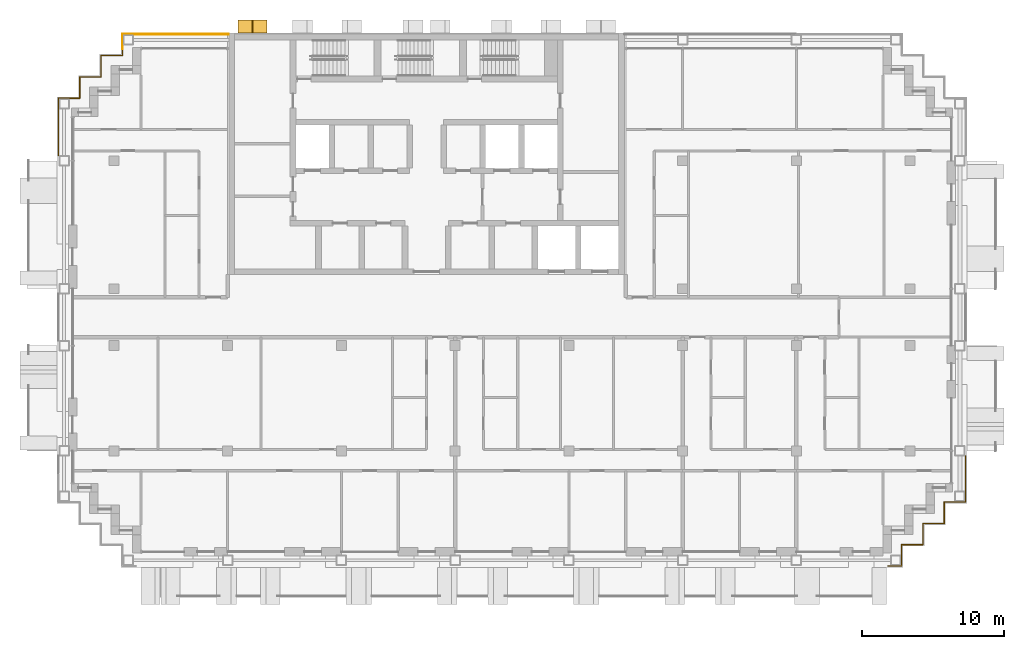
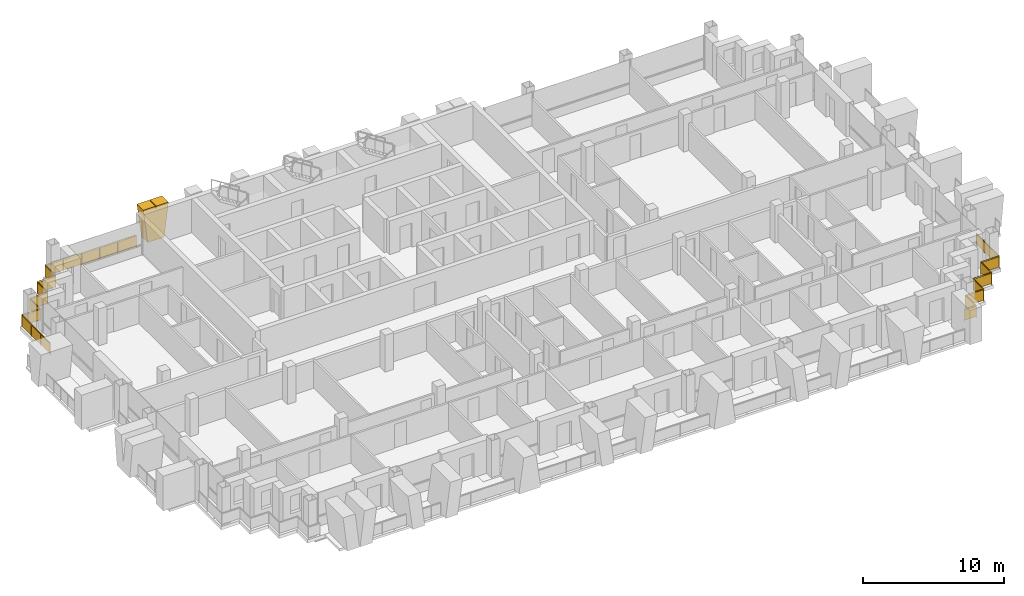
# One storey, part 14 of 16: 4 railings, 1 shading device.
"""IFC4 building model written with IfcOpenShell, lengths in metres."""

from ifc_helpers import new_model, si_unit, direction, frame, origin, origin_2d, place, context, subcontext, project, spatial, polyline, rectangle, circle, outline, extrude, material, layer, layer_set, type_object, element, save


model = new_model("IFC4")

# Units and contexts
model_context = context("Model", 3, precision=1e-05, world=origin(), true_north=direction((0.0, 1.0)))
body_context = subcontext(model_context, "Body", "Model", "MODEL_VIEW")
ifc_project = project(units=[si_unit("LENGTHUNIT", "METRE"), si_unit("AREAUNIT", "SQUARE_METRE"), si_unit("VOLUMEUNIT", "CUBIC_METRE"), si_unit("PLANEANGLEUNIT", "RADIAN"), si_unit("MASSUNIT", "GRAM", prefix="KILO")], contexts=[model_context])

# Site, building, storey
site_placement = place(None, origin())
site = spatial("IfcSite", under=ifc_project, at=site_placement, CompositionType="ELEMENT")
building_placement = place(site_placement, origin())
building = spatial("IfcBuilding", under=site, at=building_placement, Name="Vidyagriha Tower", CompositionType="ELEMENT")
storey_placement = place(building_placement, frame((0.0, 0.0, 178.10009765625)))
storey = spatial("IfcBuildingStorey", under=building, at=storey_placement, Name="L46", CompositionType="ELEMENT", Elevation=178.10009765625)

# Shading device
ifc_material_1 = material(Name="Precast concrete C40/50 with brick facing", Category="concrete")
ifc_layer = layer(ifc_material_1, 1.0)
ifc_layer_set = layer_set([ifc_layer], Name="Precast concrete C40/50 with brick facing")
shading_device_type = type_object("IfcShadingDeviceType", Name="Brick-faced rear rib forking 8 degrees", PredefinedType="USERDEFINED", material=ifc_layer_set)
shading_device_placement = place(storey_placement, frame((-11.21435546875, 20.449951171875, 0.0), z_axis=(0.0, 0.0, 1.0), x_axis=(-1.0, 0.0, 0.0)))
element("IfcShadingDevice", 1, at=shading_device_placement, inside=storey, type_object=shading_device_type, Name="Rear rib fork L46 R08.5a", ObjectType="BLADE FIN", PredefinedType="USERDEFINED", context=body_context, shape_type="SweptSolid", body=[
    extrude(outline(polyline([(0.357177734375, 0.0), (1.71435546875, 0.0), (2.0712890625, 2.919921875), (1.0712890625, 2.919921875), (1.03564453125, 2.6279296875), (1.0, 2.919921875), (0.0, 2.919921875), (0.357177734375, 0.0)])), frame((0.0, 0.449951171875, 0.0), z_axis=(0.0, -1.0, 0.0), x_axis=(1.0, 0.0, 0.0)), (0.0, 0.0, 1.0), 0.89990234375),
])

# Railings
ifc_material_2 = material(Name="Steel ASTM A500 Grade C black painted", Category="steel")
railing_type = type_object("IfcRailingType", Name="Gallery guard 1100", PredefinedType="GUARDRAIL", material=ifc_material_2)
railing_1_placement = place(storey_placement, frame((-25.89990234375, 11.360107421875, 0.0)))
element("IfcRailing", 2, at=railing_1_placement, inside=storey, type_object=railing_type, Name="Gallery guard L46 4", PredefinedType="GUARDRAIL", context=body_context, shape_type="SweptSolid", body=[
    extrude(circle(Radius=0.02490234375, at=origin_2d()), frame((0.0, 0.0, 1.0751953125), z_axis=(0.0, 1.0, 0.0), x_axis=(-1.0, 0.0, 0.0)), (0.0, 0.0, 1.0), 4.039794921875),
    extrude(circle(Radius=0.02490234375, at=origin_2d()), frame((0.0, 4.039794921875, 1.0751953125), z_axis=(1.0, 0.0, 0.0), x_axis=(0.0, 1.0, 0.0)), (0.0, 0.0, 1.0), 1.5),
    extrude(circle(Radius=0.02490234375, at=origin_2d()), frame((1.5, 4.039794921875, 1.0751953125), z_axis=(0.0, 1.0, 0.0), x_axis=(-1.0, 0.0, 0.0)), (0.0, 0.0, 1.0), 1.5),
    extrude(circle(Radius=0.02490234375, at=origin_2d()), frame((1.5, 5.539794921875, 1.0751953125), z_axis=(1.0, 0.0, 0.0), x_axis=(0.0, 1.0, 0.0)), (0.0, 0.0, 1.0), 1.5),
    extrude(circle(Radius=0.02490234375, at=origin_2d()), frame((3.0, 5.539794921875, 1.0751953125), z_axis=(0.0, 1.0, 0.0), x_axis=(-1.0, 0.0, 0.0)), (0.0, 0.0, 1.0), 1.5),
    extrude(circle(Radius=0.02490234375, at=origin_2d()), frame((3.0, 7.039794921875, 1.0751953125), z_axis=(1.0, 0.0, 0.0), x_axis=(0.0, 1.0, 0.0)), (0.0, 0.0, 1.0), 1.5),
    extrude(circle(Radius=0.02490234375, at=origin_2d()), frame((4.5, 7.039794921875, 1.0751953125), z_axis=(0.0, 1.0, 0.0), x_axis=(-1.0, 0.0, 0.0)), (0.0, 0.0, 1.0), 0.460205078125),
    extrude(circle(Radius=0.02001953125, at=origin_2d()), origin(), (0.0, 0.0, 1.0), 1.050048828125),
    extrude(circle(Radius=0.02001953125, at=origin_2d()), frame((0.0, 1.3466796875, 0.0)), (0.0, 0.0, 1.0), 1.050048828125),
    extrude(circle(Radius=0.02001953125, at=origin_2d()), frame((0.0, 2.693115234375, 0.0)), (0.0, 0.0, 1.0), 1.050048828125),
    extrude(circle(Radius=0.02001953125, at=origin_2d()), frame((0.0, 4.039794921875, 0.0)), (0.0, 0.0, 1.0), 1.050048828125),
    extrude(circle(Radius=0.02001953125, at=origin_2d()), frame((1.5, 4.039794921875, 0.0)), (0.0, 0.0, 1.0), 1.050048828125),
    extrude(circle(Radius=0.02001953125, at=origin_2d()), frame((1.5, 5.539794921875, 0.0)), (0.0, 0.0, 1.0), 1.050048828125),
    extrude(circle(Radius=0.02001953125, at=origin_2d()), frame((3.0, 5.539794921875, 0.0)), (0.0, 0.0, 1.0), 1.050048828125),
    extrude(circle(Radius=0.02001953125, at=origin_2d()), frame((3.0, 7.039794921875, 0.0)), (0.0, 0.0, 1.0), 1.050048828125),
    extrude(circle(Radius=0.02001953125, at=origin_2d()), frame((4.5, 7.039794921875, 0.0)), (0.0, 0.0, 1.0), 1.050048828125),
    extrude(circle(Radius=0.02001953125, at=origin_2d()), frame((4.5, 7.5, 0.0)), (0.0, 0.0, 1.0), 1.050048828125),
    extrude(rectangle(XDim=0.010009765625, YDim=0.900146484375, at=origin_2d()), frame((0.0, 0.0, 0.550048828125), z_axis=(0.0, 1.0, 0.0), x_axis=(-1.0, 0.0, 0.0)), (0.0, 0.0, 1.0), 4.039794921875),
    extrude(rectangle(XDim=0.010009765625, YDim=0.900146484375, at=origin_2d()), frame((0.0, 4.039794921875, 0.550048828125), z_axis=(1.0, 0.0, 0.0), x_axis=(0.0, 1.0, 0.0)), (0.0, 0.0, 1.0), 1.5),
    extrude(rectangle(XDim=0.010009765625, YDim=0.900146484375, at=origin_2d()), frame((1.5, 4.039794921875, 0.550048828125), z_axis=(0.0, 1.0, 0.0), x_axis=(-1.0, 0.0, 0.0)), (0.0, 0.0, 1.0), 1.5),
    extrude(rectangle(XDim=0.010009765625, YDim=0.900146484375, at=origin_2d()), frame((1.5, 5.539794921875, 0.550048828125), z_axis=(1.0, 0.0, 0.0), x_axis=(0.0, 1.0, 0.0)), (0.0, 0.0, 1.0), 1.5),
    extrude(rectangle(XDim=0.010009765625, YDim=0.900146484375, at=origin_2d()), frame((3.0, 5.539794921875, 0.550048828125), z_axis=(0.0, 1.0, 0.0), x_axis=(-1.0, 0.0, 0.0)), (0.0, 0.0, 1.0), 1.5),
    extrude(rectangle(XDim=0.010009765625, YDim=0.900146484375, at=origin_2d()), frame((3.0, 7.039794921875, 0.550048828125), z_axis=(1.0, 0.0, 0.0), x_axis=(0.0, 1.0, 0.0)), (0.0, 0.0, 1.0), 1.5),
    extrude(rectangle(XDim=0.010009765625, YDim=0.900146484375, at=origin_2d()), frame((4.5, 7.039794921875, 0.550048828125), z_axis=(0.0, 1.0, 0.0), x_axis=(-1.0, 0.0, 0.0)), (0.0, 0.0, 1.0), 0.460205078125),
])
railing_2_placement = place(storey_placement, frame((-21.39990234375, 18.860107421875, 0.0)))
element("IfcRailing", 3, at=railing_2_placement, inside=storey, type_object=railing_type, Name="Gallery guard L46 5", PredefinedType="GUARDRAIL", context=body_context, shape_type="SweptSolid", body=[
    extrude(circle(Radius=0.02490234375, at=origin_2d()), frame((0.0, 0.0, 1.0751953125), z_axis=(0.0, 1.0, 0.0), x_axis=(-1.0, 0.0, 0.0)), (0.0, 0.0, 1.0), 1.039794921875),
    extrude(circle(Radius=0.02490234375, at=origin_2d()), frame((0.0, 1.039794921875, 1.0751953125), z_axis=(1.0, 0.0, 0.0), x_axis=(0.0, 1.0, 0.0)), (0.0, 0.0, 1.0), 7.469970703125),
    extrude(circle(Radius=0.02001953125, at=origin_2d()), origin(), (0.0, 0.0, 1.0), 1.050048828125),
    extrude(circle(Radius=0.02001953125, at=origin_2d()), frame((0.0, 1.039794921875, 0.0)), (0.0, 0.0, 1.0), 1.050048828125),
    extrude(circle(Radius=0.02001953125, at=origin_2d()), frame((1.493896484375, 1.039794921875, 0.0)), (0.0, 0.0, 1.0), 1.050048828125),
    extrude(circle(Radius=0.02001953125, at=origin_2d()), frame((2.988037109375, 1.039794921875, 0.0)), (0.0, 0.0, 1.0), 1.050048828125),
    extrude(circle(Radius=0.02001953125, at=origin_2d()), frame((4.48193359375, 1.039794921875, 0.0)), (0.0, 0.0, 1.0), 1.050048828125),
    extrude(circle(Radius=0.02001953125, at=origin_2d()), frame((5.97607421875, 1.039794921875, 0.0)), (0.0, 0.0, 1.0), 1.050048828125),
    extrude(circle(Radius=0.02001953125, at=origin_2d()), frame((7.469970703125, 1.039794921875, 0.0)), (0.0, 0.0, 1.0), 1.050048828125),
    extrude(rectangle(XDim=0.010009765625, YDim=0.900146484375, at=origin_2d()), frame((0.0, 0.0, 0.550048828125), z_axis=(0.0, 1.0, 0.0), x_axis=(-1.0, 0.0, 0.0)), (0.0, 0.0, 1.0), 1.039794921875),
    extrude(rectangle(XDim=0.010009765625, YDim=0.900146484375, at=origin_2d()), frame((0.0, 1.039794921875, 0.550048828125), z_axis=(1.0, 0.0, 0.0), x_axis=(0.0, 1.0, 0.0)), (0.0, 0.0, 1.0), 7.469970703125),
])
railing_3_placement = place(storey_placement, frame((37.89990234375, -9.760009765625, 0.0)))
element("IfcRailing", 4, at=railing_3_placement, inside=storey, type_object=railing_type, Name="Gallery guard L46 9", PredefinedType="GUARDRAIL", context=body_context, shape_type="SweptSolid", body=[
    extrude(circle(Radius=0.02490234375, at=origin_2d()), frame((0.0, 0.0, 1.0751953125), z_axis=(0.0, -1.0, 0.0), x_axis=(1.0, 0.0, 0.0)), (0.0, 0.0, 1.0), 3.239990234375),
    extrude(circle(Radius=0.02490234375, at=origin_2d()), frame((0.0, -3.239990234375, 1.0751953125), z_axis=(-1.0, 0.0, 0.0), x_axis=(0.0, -1.0, 0.0)), (0.0, 0.0, 1.0), 1.5),
    extrude(circle(Radius=0.02490234375, at=origin_2d()), frame((-1.5, -3.239990234375, 1.0751953125), z_axis=(0.0, -1.0, 0.0), x_axis=(1.0, 0.0, 0.0)), (0.0, 0.0, 1.0), 1.5),
    extrude(circle(Radius=0.02490234375, at=origin_2d()), frame((-1.5, -4.739990234375, 1.0751953125), z_axis=(-1.0, 0.0, 0.0), x_axis=(0.0, -1.0, 0.0)), (0.0, 0.0, 1.0), 1.5),
    extrude(circle(Radius=0.02490234375, at=origin_2d()), frame((-3.0, -4.739990234375, 1.0751953125), z_axis=(0.0, -1.0, 0.0), x_axis=(1.0, 0.0, 0.0)), (0.0, 0.0, 1.0), 1.5),
    extrude(circle(Radius=0.02490234375, at=origin_2d()), frame((-3.0, -6.239990234375, 1.0751953125), z_axis=(-1.0, 0.0, 0.0), x_axis=(0.0, -1.0, 0.0)), (0.0, 0.0, 1.0), 1.5),
    extrude(circle(Radius=0.02490234375, at=origin_2d()), frame((-4.5, -6.239990234375, 1.0751953125), z_axis=(0.0, -1.0, 0.0), x_axis=(1.0, 0.0, 0.0)), (0.0, 0.0, 1.0), 1.260009765625),
    extrude(circle(Radius=0.02001953125, at=origin_2d()), origin(), (0.0, 0.0, 1.0), 1.050048828125),
    extrude(circle(Radius=0.02001953125, at=origin_2d()), frame((0.0, -1.080078125, 0.0)), (0.0, 0.0, 1.0), 1.050048828125),
    extrude(circle(Radius=0.02001953125, at=origin_2d()), frame((0.0, -2.159912109375, 0.0)), (0.0, 0.0, 1.0), 1.050048828125),
    extrude(circle(Radius=0.02001953125, at=origin_2d()), frame((0.0, -3.239990234375, 0.0)), (0.0, 0.0, 1.0), 1.050048828125),
    extrude(circle(Radius=0.02001953125, at=origin_2d()), frame((-1.5, -3.239990234375, 0.0)), (0.0, 0.0, 1.0), 1.050048828125),
    extrude(circle(Radius=0.02001953125, at=origin_2d()), frame((-1.5, -4.739990234375, 0.0)), (0.0, 0.0, 1.0), 1.050048828125),
    extrude(circle(Radius=0.02001953125, at=origin_2d()), frame((-3.0, -4.739990234375, 0.0)), (0.0, 0.0, 1.0), 1.050048828125),
    extrude(circle(Radius=0.02001953125, at=origin_2d()), frame((-3.0, -6.239990234375, 0.0)), (0.0, 0.0, 1.0), 1.050048828125),
    extrude(circle(Radius=0.02001953125, at=origin_2d()), frame((-4.5, -6.239990234375, 0.0)), (0.0, 0.0, 1.0), 1.050048828125),
    extrude(circle(Radius=0.02001953125, at=origin_2d()), frame((-4.5, -7.5, 0.0)), (0.0, 0.0, 1.0), 1.050048828125),
    extrude(rectangle(XDim=0.010009765625, YDim=0.900146484375, at=origin_2d()), frame((0.0, 0.0, 0.550048828125), z_axis=(0.0, -1.0, 0.0), x_axis=(1.0, 0.0, 0.0)), (0.0, 0.0, 1.0), 3.239990234375),
    extrude(rectangle(XDim=0.010009765625, YDim=0.900146484375, at=origin_2d()), frame((0.0, -3.239990234375, 0.550048828125), z_axis=(-1.0, 0.0, 0.0), x_axis=(0.0, -1.0, 0.0)), (0.0, 0.0, 1.0), 1.5),
    extrude(rectangle(XDim=0.010009765625, YDim=0.900146484375, at=origin_2d()), frame((-1.5, -3.239990234375, 0.550048828125), z_axis=(0.0, -1.0, 0.0), x_axis=(1.0, 0.0, 0.0)), (0.0, 0.0, 1.0), 1.5),
    extrude(rectangle(XDim=0.010009765625, YDim=0.900146484375, at=origin_2d()), frame((-1.5, -4.739990234375, 0.550048828125), z_axis=(-1.0, 0.0, 0.0), x_axis=(0.0, -1.0, 0.0)), (0.0, 0.0, 1.0), 1.5),
    extrude(rectangle(XDim=0.010009765625, YDim=0.900146484375, at=origin_2d()), frame((-3.0, -4.739990234375, 0.550048828125), z_axis=(0.0, -1.0, 0.0), x_axis=(1.0, 0.0, 0.0)), (0.0, 0.0, 1.0), 1.5),
    extrude(rectangle(XDim=0.010009765625, YDim=0.900146484375, at=origin_2d()), frame((-3.0, -6.239990234375, 0.550048828125), z_axis=(-1.0, 0.0, 0.0), x_axis=(0.0, -1.0, 0.0)), (0.0, 0.0, 1.0), 1.5),
    extrude(rectangle(XDim=0.010009765625, YDim=0.900146484375, at=origin_2d()), frame((-4.5, -6.239990234375, 0.550048828125), z_axis=(0.0, -1.0, 0.0), x_axis=(1.0, 0.0, 0.0)), (0.0, 0.0, 1.0), 1.260009765625),
])
railing_4_placement = place(storey_placement, frame((33.39990234375, -17.260009765625, 0.0)))
element("IfcRailing", 5, at=railing_4_placement, inside=storey, type_object=railing_type, Name="Gallery guard L46 10", PredefinedType="GUARDRAIL", context=body_context, shape_type="SweptSolid", body=[
    extrude(circle(Radius=0.02490234375, at=origin_2d()), frame((0.0, 0.0, 1.0751953125), z_axis=(0.0, -1.0, 0.0), x_axis=(1.0, 0.0, 0.0)), (0.0, 0.0, 1.0), 0.239990234375),
    extrude(circle(Radius=0.02490234375, at=origin_2d()), frame((0.0, -0.239990234375, 1.0751953125), z_axis=(-1.0, 0.0, 0.0), x_axis=(0.0, -1.0, 0.0)), (0.0, 0.0, 1.0), 0.93994140625),
    extrude(circle(Radius=0.02001953125, at=origin_2d()), origin(), (0.0, 0.0, 1.0), 1.050048828125),
    extrude(circle(Radius=0.02001953125, at=origin_2d()), frame((0.0, -0.239990234375, 0.0)), (0.0, 0.0, 1.0), 1.050048828125),
    extrude(circle(Radius=0.02001953125, at=origin_2d()), frame((-0.93994140625, -0.239990234375, 0.0)), (0.0, 0.0, 1.0), 1.050048828125),
    extrude(rectangle(XDim=0.010009765625, YDim=0.900146484375, at=origin_2d()), frame((0.0, 0.0, 0.550048828125), z_axis=(0.0, -1.0, 0.0), x_axis=(1.0, 0.0, 0.0)), (0.0, 0.0, 1.0), 0.239990234375),
    extrude(rectangle(XDim=0.010009765625, YDim=0.900146484375, at=origin_2d()), frame((0.0, -0.239990234375, 0.550048828125), z_axis=(-1.0, 0.0, 0.0), x_axis=(0.0, -1.0, 0.0)), (0.0, 0.0, 1.0), 0.93994140625),
])

save(model, "model.ifc")
